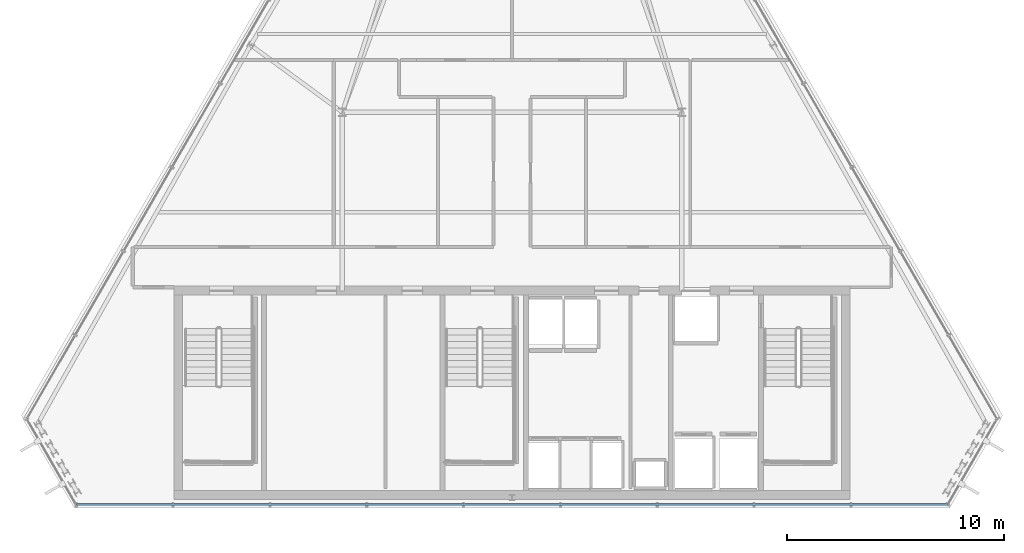
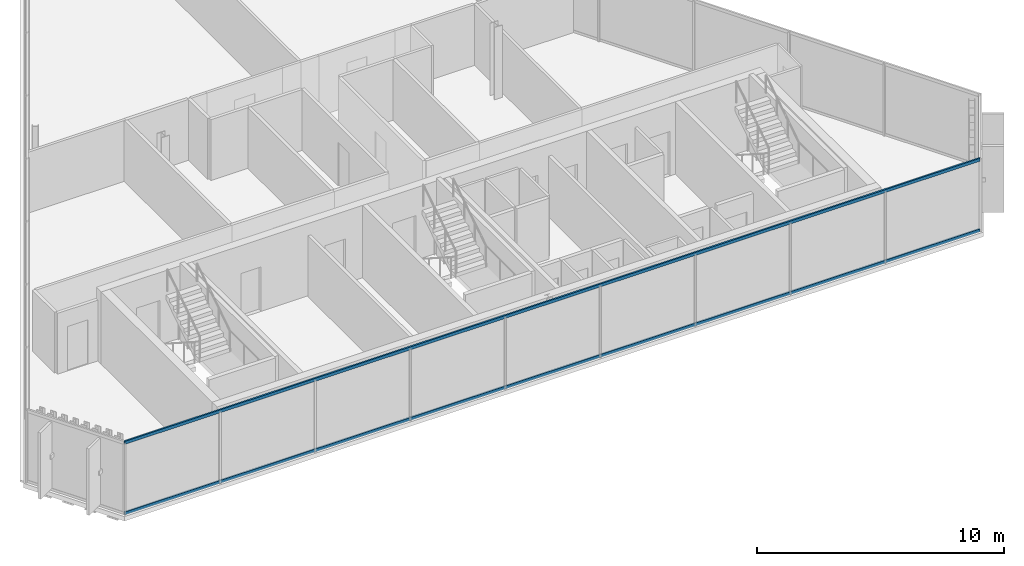
# One storey, part 8 of 32: 2 members, 1 element without a shape of its own.
"""IFC4 building model written with IfcOpenShell, lengths in metres."""

from ifc_helpers import new_model, si_unit, direction, frame, origin, origin_2d, place, context, subcontext, project, spatial, hollow_rectangle, extrude, material, layer, layer_set, material_profile, profile_set, type_object, element, aggregate, save


model = new_model("IFC4")

# Units and contexts
model_context = context("Model", 3, precision=1e-05, world=origin(), true_north=direction((0.0, 1.0)))
body_context = subcontext(model_context, "Body", "Model", "MODEL_VIEW")
ifc_project = project(units=[si_unit("LENGTHUNIT", "METRE"), si_unit("AREAUNIT", "SQUARE_METRE"), si_unit("VOLUMEUNIT", "CUBIC_METRE"), si_unit("PLANEANGLEUNIT", "RADIAN"), si_unit("MASSUNIT", "GRAM", prefix="KILO")], contexts=[model_context])

# Site, building, storey
site_placement = place(None, origin())
site = spatial("IfcSite", under=ifc_project, at=site_placement, CompositionType="ELEMENT")
building_placement = place(site_placement, origin())
building = spatial("IfcBuilding", under=site, at=building_placement, Name="Ndaravel Arena Tower", CompositionType="ELEMENT")
storey_placement = place(building_placement, frame((0.0, 0.0, 283.300048828125)))
storey = spatial("IfcBuildingStorey", under=building, at=storey_placement, Name="L69", CompositionType="ELEMENT", Elevation=283.300048828125)

# Curtain wall, members
ifc_material_1 = material(Name="Aluminium", Category="aluminium")
ifc_layer = layer(ifc_material_1, 0.179931640625)
ifc_layer_set = layer_set([ifc_layer], Name="Aluminium")
curtain_wall_type = type_object("IfcCurtainWallType", Name="CW-SYS-03", PredefinedType="NOTDEFINED", material=ifc_layer_set)
curtain_wall_placement = place(storey_placement, origin())
curtain_wall = element("IfcCurtainWall", 1, at=curtain_wall_placement, inside=storey, type_object=curtain_wall_type, Name="L69 Faceted Crystal Curtain Wall CW-L69-E01", PredefinedType="NOTDEFINED")
ifc_material_2 = material(Name="Aluminium", Category="aluminium")
ifc_material_profile = material_profile(ifc_material_2, hollow_rectangle(XDim=0.074951171875, YDim=0.14990234375, WallThickness=0.00390625, at=origin_2d()), Name="CW TRANSOM 75x150x4")
ifc_profile_set = profile_set([ifc_material_profile], Name="Aluminium")
member_type = type_object("IfcMemberType", Name="MEM-CW-TRN150", PredefinedType="USERDEFINED", material=ifc_profile_set)
member_1_placement = place(storey_placement, frame((21.96484375, 5.159912109375, 0.0400390625), z_axis=(1.0, 0.0, 0.0), x_axis=(0.0, 1.0, 0.0)))
member_1 = element("IfcMember", 2, at=member_1_placement, type_object=member_type, Name="CW-L69-E01 Transom 01", ObjectType="TRANSOM", PredefinedType="USERDEFINED", context=body_context, shape_type="SweptSolid", body=[
    extrude(hollow_rectangle(XDim=0.074951171875, YDim=0.14990234375, WallThickness=0.00390625, at=origin_2d()), origin(), (0.0, 0.0, 1.0), 40.0703125),
])
member_2_placement = place(storey_placement, frame((21.96484375, 5.159912109375, 3.5400390625), z_axis=(1.0, 0.0, 0.0), x_axis=(0.0, 1.0, 0.0)))
member_2 = element("IfcMember", 3, at=member_2_placement, type_object=member_type, Name="CW-L69-E01 Transom 02", ObjectType="TRANSOM", PredefinedType="USERDEFINED", context=body_context, shape_type="SweptSolid", body=[
    extrude(hollow_rectangle(XDim=0.074951171875, YDim=0.14990234375, WallThickness=0.00390625, at=origin_2d()), origin(), (0.0, 0.0, 1.0), 40.0703125),
])
aggregate(curtain_wall, [member_1, member_2])

save(model, "model.ifc")
